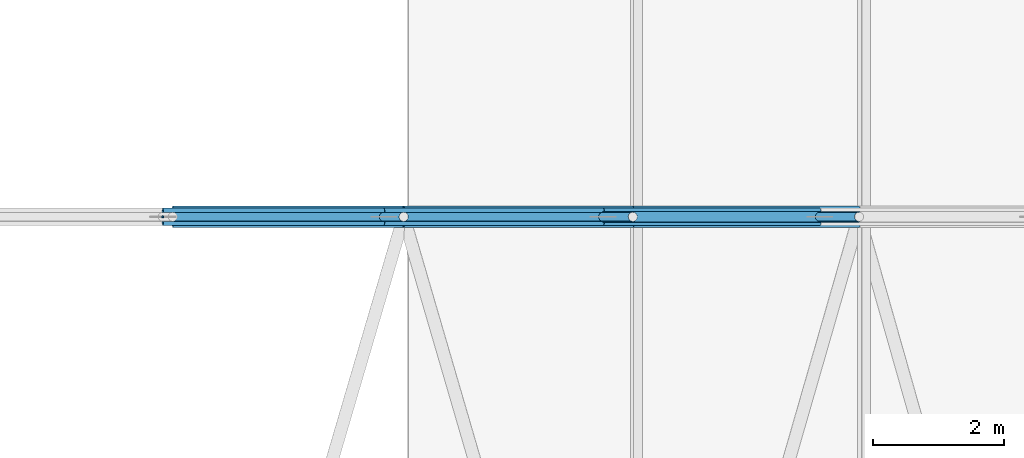
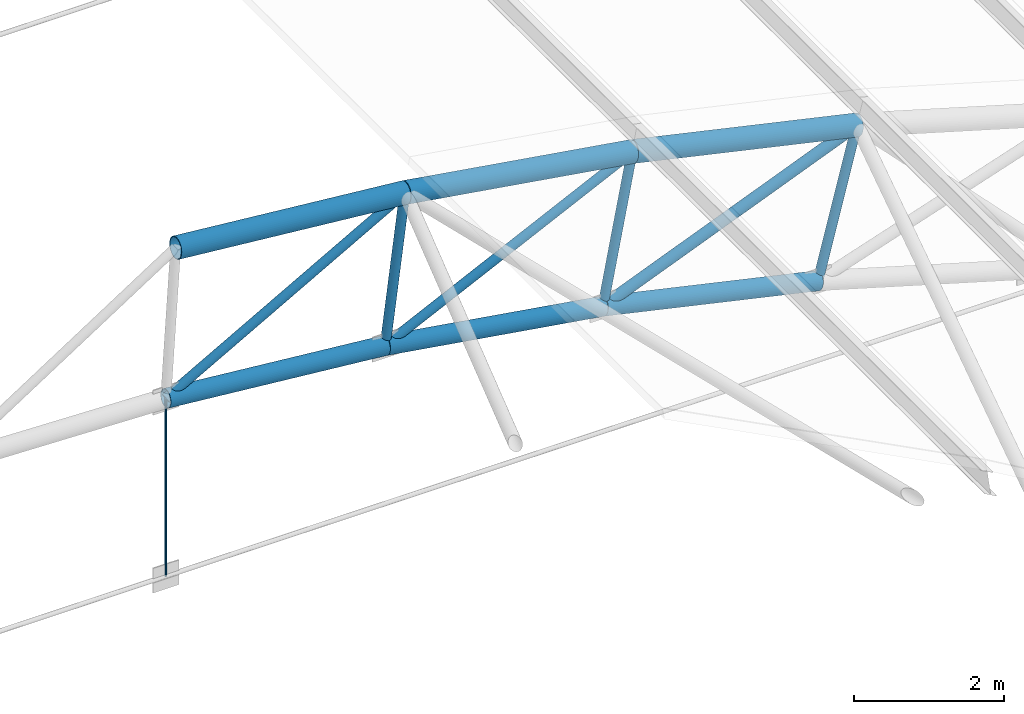
# One storey, part 131 of 321: 13 members.
"""IFC4 building model written with IfcOpenShell, lengths in metres."""

from ifc_helpers import new_model, si_unit, direction, frame, origin, origin_2d, place, context, subcontext, project, spatial, circle, hollow_circle, extrude, material, material_profile, profile_set, type_object, element, save


model = new_model("IFC4")

# Units and contexts
model_context = context("Model", 3, precision=1e-05, world=origin(), true_north=direction((0.0, 1.0)))
body_context = subcontext(model_context, "Body", "Model", "MODEL_VIEW")
ifc_project = project(units=[si_unit("LENGTHUNIT", "METRE"), si_unit("AREAUNIT", "SQUARE_METRE"), si_unit("VOLUMEUNIT", "CUBIC_METRE"), si_unit("PLANEANGLEUNIT", "RADIAN"), si_unit("MASSUNIT", "GRAM", prefix="KILO")], contexts=[model_context])

# Site, building, storey
site_placement = place(None, origin())
site = spatial("IfcSite", under=ifc_project, at=site_placement, CompositionType="ELEMENT")
building_placement = place(site_placement, origin())
building = spatial("IfcBuilding", under=site, at=building_placement, Name="Ravi Spectrum Wholesale Market", CompositionType="ELEMENT")
storey_placement = place(building_placement, frame((0.0, 0.0, 10.800048828125)))
storey = spatial("IfcBuildingStorey", under=building, at=storey_placement, Name="L02", CompositionType="ELEMENT", Elevation=10.800048828125)

# Members
ifc_material_1 = material(Name="Steel S355", Category="steel")
ifc_material_profile_1 = material_profile(ifc_material_1, hollow_circle(Radius=0.06982421875, WallThickness=0.0048828125, at=origin_2d()))
ifc_profile_set_1 = profile_set([ifc_material_profile_1], Name="Steel S355")
member_type_1 = type_object("IfcMemberType", Name="CHS 139.7x5 brace", PredefinedType="BRACE", material=ifc_profile_set_1)
for number, where, z_axis, x_axis, name in (
    (1, (181.0673828125, 102.0, 4.952392578125), (-0.872529716562, 0.0, -0.488561044001), (0.0, -1.0, 0.0), "H2-MB-L02-161"),
    (2, (184.565673828125, 102.0, 4.394775390625), (-0.901638699511, 0.0, -0.432490064098), (0.0, -1.0, 0.0), "H2-MB-L02-162"),
):
    element("IfcMember", number, at=place(storey_placement, frame(where, z_axis=z_axis, x_axis=x_axis)), inside=storey, type_object=member_type_1, Name=name, PredefinedType="BRACE", context=body_context, shape_type="SweptSolid", body=[
        extrude(hollow_circle(Radius=0.06982421875, WallThickness=0.0048828125, at=origin_2d()), origin(), (0.0, 0.0, 1.0), 4.215576171875),
    ])
ifc_material_2 = material(Name="Steel S355", Category="steel")
ifc_material_profile_2 = material_profile(ifc_material_2, hollow_circle(Radius=0.06982421875, WallThickness=0.0048828125, at=origin_2d()))
ifc_profile_set_2 = profile_set([ifc_material_profile_2], Name="Steel S355")
member_type_2 = type_object("IfcMemberType", Name="CHS 139.7x5 post", PredefinedType="POST", material=ifc_profile_set_2)
member_1_placement = place(storey_placement, frame((181.0673828125, 102.0, 4.952392578125), z_axis=(-0.126137795856, 0.0, -0.992012729987), x_axis=(0.0, -1.0, 0.0)))
element("IfcMember", 3, at=member_1_placement, inside=storey, type_object=member_type_2, Name="H2-MB-L02-149", PredefinedType="POST", context=body_context, shape_type="SweptSolid", body=[
    extrude(hollow_circle(Radius=0.06982421875, WallThickness=0.0048828125, at=origin_2d()), origin(), (0.0, 0.0, 1.0), 2.400146484375),
])
member_2_placement = place(storey_placement, frame((184.565673828125, 102.0, 4.394775390625), z_axis=(-0.188500261805, 0.0, -0.982073139486), x_axis=(0.0, -1.0, 0.0)))
element("IfcMember", 4, at=member_2_placement, inside=storey, type_object=member_type_2, Name="H2-MB-L02-150", PredefinedType="POST", context=body_context, shape_type="SweptSolid", body=[
    extrude(hollow_circle(Radius=0.06982421875, WallThickness=0.0048828125, at=origin_2d()), origin(), (0.0, 0.0, 1.0), 2.39990234375),
])
member_3_placement = place(storey_placement, frame((188.02197265625, 102.0, 3.6171875), z_axis=(-0.250234870817, 0.0, -0.96818516278), x_axis=(0.0, -1.0, 0.0)))
element("IfcMember", 5, at=member_3_placement, inside=storey, type_object=member_type_2, Name="H2-MB-L02-151", PredefinedType="POST", context=body_context, shape_type="SweptSolid", body=[
    extrude(hollow_circle(Radius=0.06982421875, WallThickness=0.0048828125, at=origin_2d()), origin(), (0.0, 0.0, 1.0), 2.400146484375),
])
ifc_material_3 = material(Name="Steel S355", Category="steel")
ifc_material_profile_3 = material_profile(ifc_material_3, hollow_circle(Radius=0.084228515625, WallThickness=0.00634765625, at=origin_2d()))
ifc_profile_set_3 = profile_set([ifc_material_profile_3], Name="Steel S355")
member_type_3 = type_object("IfcMemberType", Name="CHS 168.3x6.3 brace", PredefinedType="BRACE", material=ifc_profile_set_3)
member_4_placement = place(storey_placement, frame((188.02197265625, 102.0, 3.6171875), z_axis=(-0.927172989808, 0.0, -0.374633483515), x_axis=(0.0, -1.0, 0.0)))
element("IfcMember", 6, at=member_4_placement, inside=storey, type_object=member_type_3, Name="H2-MB-L02-163", PredefinedType="BRACE", context=body_context, shape_type="SweptSolid", body=[
    extrude(hollow_circle(Radius=0.084228515625, WallThickness=0.00634765625, at=origin_2d()), origin(), (0.0, 0.0, 1.0), 4.2158203125),
])
ifc_material_4 = material(Name="Steel S355", Category="steel")
ifc_material_profile_4 = material_profile(ifc_material_4, hollow_circle(Radius=0.136474609375, WallThickness=0.010009765625, at=origin_2d()))
ifc_profile_set_4 = profile_set([ifc_material_profile_4], Name="Steel S355")
member_type_4 = type_object("IfcMemberType", Name="CHS 273x10 chord", PredefinedType="CHORD", material=ifc_profile_set_4)
member_5_placement = place(storey_placement, frame((177.38916015625, 102.0, 2.892822265625), z_axis=(0.995500648787, 0.0, -0.094754726877), x_axis=(0.0, 1.0, 0.0)))
element("IfcMember", 7, at=member_5_placement, inside=storey, type_object=member_type_4, Name="H2-MB-L02-135", PredefinedType="CHORD", context=body_context, shape_type="SweptSolid", body=[
    extrude(hollow_circle(Radius=0.136474609375, WallThickness=0.010009765625, at=origin_2d()), origin(), (0.0, 0.0, 1.0), 3.390625),
])
for number, where, z_axis, x_axis, name in (
    (8, (180.7646484375, 102.0, 2.571533203125), (0.98753659733, 0.0, -0.157389545185), (0.0, 1.0, 0.0), "H2-MB-L02-136"),
    (9, (184.11328125, 102.0, 2.037841796875), (0.975605901076, 0.0, -0.219529327851), (0.0, 1.0, 0.0), "H2-MB-L02-137"),
):
    element("IfcMember", number, at=place(storey_placement, frame(where, z_axis=z_axis, x_axis=x_axis)), inside=storey, type_object=member_type_4, Name=name, PredefinedType="CHORD", context=body_context, shape_type="SweptSolid", body=[
        extrude(hollow_circle(Radius=0.136474609375, WallThickness=0.010009765625, at=origin_2d()), origin(), (0.0, 0.0, 1.0), 3.390869140625),
    ])
ifc_material_5 = material(Name="Steel S355", Category="steel")
ifc_material_profile_5 = material_profile(ifc_material_5, hollow_circle(Radius=0.161865234375, WallThickness=0.010009765625, at=origin_2d()))
ifc_profile_set_5 = profile_set([ifc_material_profile_5], Name="Steel S355")
member_type_5 = type_object("IfcMemberType", Name="CHS 323.9x10 chord", PredefinedType="CHORD", material=ifc_profile_set_5)
for number, where, z_axis, x_axis, name in (
    (10, (177.540771484375, 102.0, 5.2880859375), (0.995500117461, 0.0, -0.094760308862), (0.0, 1.0, 0.0), "H2-MB-L02-121"),
    (11, (181.0673828125, 102.0, 4.952392578125), (0.987533356072, 0.0, -0.157409881029), (0.0, 1.0, 0.0), "H2-MB-L02-122"),
):
    element("IfcMember", number, at=place(storey_placement, frame(where, z_axis=z_axis, x_axis=x_axis)), inside=storey, type_object=member_type_5, Name=name, PredefinedType="CHORD", context=body_context, shape_type="SweptSolid", body=[
        extrude(hollow_circle(Radius=0.161865234375, WallThickness=0.010009765625, at=origin_2d()), origin(), (0.0, 0.0, 1.0), 3.54248046875),
    ])
member_6_placement = place(storey_placement, frame((184.565673828125, 102.0, 4.394775390625), z_axis=(0.975614552373, 0.0, -0.219490877256), x_axis=(0.0, 1.0, 0.0)))
element("IfcMember", 12, at=member_6_placement, inside=storey, type_object=member_type_5, Name="H2-MB-L02-123", PredefinedType="CHORD", context=body_context, shape_type="SweptSolid", body=[
    extrude(hollow_circle(Radius=0.161865234375, WallThickness=0.010009765625, at=origin_2d()), origin(), (0.0, 0.0, 1.0), 3.542724609375),
])
ifc_material_6 = material(Name="Steel S355", Category="steel")
ifc_material_profile_6 = material_profile(ifc_material_6, circle(Radius=0.01806640625, at=origin_2d()))
ifc_profile_set_6 = profile_set([ifc_material_profile_6], Name="Steel S355")
member_type_6 = type_object("IfcMemberType", Name="ROD 36 hanger", PredefinedType="STRUT", material=ifc_profile_set_6)
member_7_placement = place(storey_placement, frame((177.38916015625, 102.0, 0.0), z_axis=(0.0, 0.0, 1.0), x_axis=(1.0, 0.0, 0.0)))
element("IfcMember", 13, at=member_7_placement, inside=storey, type_object=member_type_6, Name="H2-MB-L02-168", PredefinedType="STRUT", context=body_context, shape_type="SweptSolid", body=[
    extrude(circle(Radius=0.01806640625, at=origin_2d()), origin(), (0.0, 0.0, 1.0), 2.892822265625),
])

save(model, "model.ifc")
